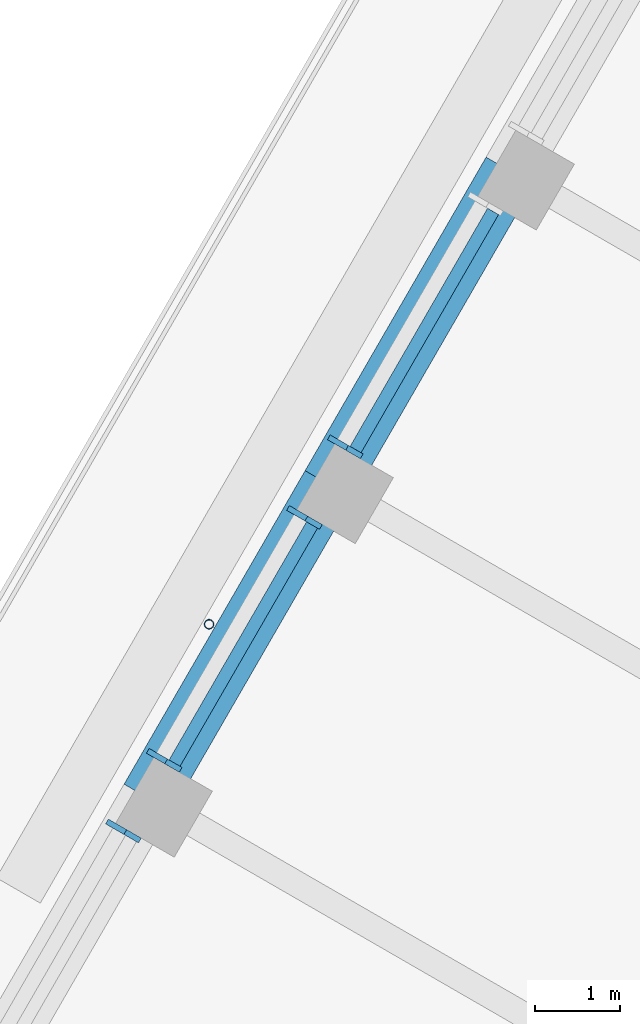
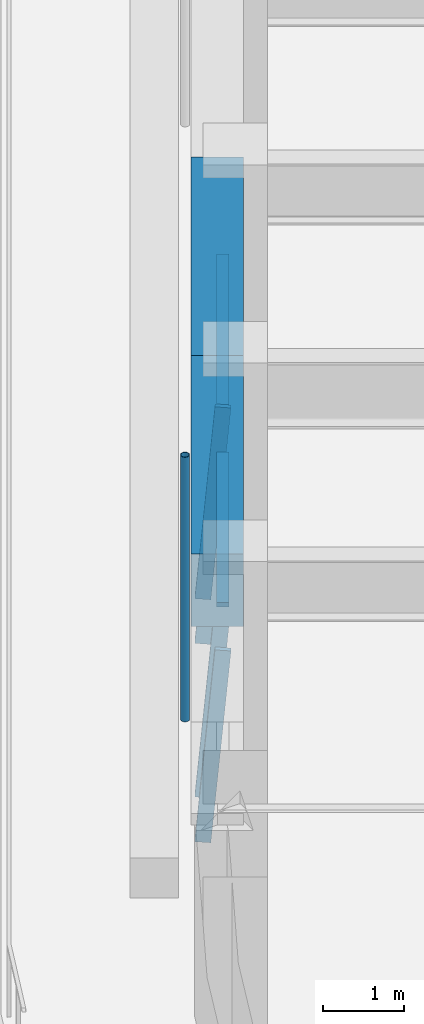
# One storey, part 6 of 19: 7 members, 2 beams, 3 elements without a shape of their own.
"""IFC4 building model written with IfcOpenShell, lengths in metres."""

import ifcopenshell
import ifcopenshell.guid

model = None  # the IFC model being written
_history = None  # IfcOwnerHistory: only IFC2X3 demands one
_inside = {}  # id of a spatial element -> (the spatial element, [elements in it])
_under = {}  # id of a project, library or spatial element -> (it, [spatial elements below it])
_declared = {}  # id of a project -> (the project, [libraries it declares])
_typed = {}  # id of a type object -> (the type object, [elements of that type])
_made_of = {}  # id of a material, layer set ... -> (it, [elements and type objects made of it])


def new_model(schema):
    """Start an empty IFC model of exactly this schema.

    Asked for "IFC4X3", IfcOpenShell would pick the latest addendum, in which some entities
    have other attributes; the version numbers below select the first issue.
    IFC2X3 requires an IfcOwnerHistory on every rooted entity: one is made here for all.
    """
    global model, _history
    if schema == "IFC4X3":
        model = ifcopenshell.file(schema_version=(4, 3, 0, 0))
    else:
        model = ifcopenshell.file(schema=schema)
    _inside.clear()
    _under.clear()
    _declared.clear()
    _typed.clear()
    _made_of.clear()
    _history = None
    if model.schema == "IFC2X3":
        org = make("IfcOrganization", Name="unknown")
        user = make(
            "IfcPersonAndOrganization",
            ThePerson=make("IfcPerson", FamilyName="unknown"),
            TheOrganization=org,
        )
        app = make(
            "IfcApplication",
            ApplicationDeveloper=org,
            Version="unknown",
            ApplicationFullName="unknown",
            ApplicationIdentifier="unknown",
        )
        _history = make(
            "IfcOwnerHistory",
            OwningUser=user,
            OwningApplication=app,
            ChangeAction="ADDED",
            CreationDate=0,
        )
    return model


def make(cls, **values):
    """One entity of the class cls with the attributes given. An attribute that is None is left unset."""
    return model.create_entity(
        cls, **{name: value for name, value in values.items() if value is not None}
    )


def rooted(cls, **values):
    """An entity with a GlobalId (a new one), such as an element, a storey or a relation."""
    return make(cls, GlobalId=ifcopenshell.guid.new(), OwnerHistory=_history, **values)


def si_unit(unit_type, name, prefix=None):
    """IfcSIUnit, for example si_unit("LENGTHUNIT", "METRE", prefix="MILLI")."""
    return make("IfcSIUnit", UnitType=unit_type, Prefix=prefix, Name=name)


def assignment(units):
    """IfcUnitAssignment: the units of a project."""
    return None if units is None else make("IfcUnitAssignment", Units=units)


def point(xyz):
    """IfcCartesianPoint."""
    return None if xyz is None else make("IfcCartesianPoint", Coordinates=xyz)


def direction(xyz):
    """IfcDirection."""
    return None if xyz is None else make("IfcDirection", DirectionRatios=xyz)


def frame(location, z_axis=None, x_axis=None):
    """IfcAxis2Placement3D, a coordinate frame: its origin and axes. An axis left out is left unset."""
    return make(
        "IfcAxis2Placement3D",
        Location=point(location),
        Axis=direction(z_axis),
        RefDirection=direction(x_axis),
    )


def frame_2d(location, x_axis=None):
    """IfcAxis2Placement2D, a coordinate frame in the plane: its origin and x axis."""
    return make(
        "IfcAxis2Placement2D", Location=point(location), RefDirection=direction(x_axis)
    )


def origin():
    """The frame at (0, 0, 0) with its axes left unset."""
    return frame((0.0, 0.0, 0.0))


def origin_2d():
    """The frame at (0, 0) in the plane with its x axis left unset."""
    return frame_2d((0.0, 0.0))


def place(relative_to, where):
    """IfcLocalPlacement: puts the frame where relative to a parent placement (None: the world)."""
    return make(
        "IfcLocalPlacement", PlacementRelTo=relative_to, RelativePlacement=where
    )


def context(
    kind, dimensions, precision=None, world=None, true_north=None, identifier=None
):
    """IfcGeometricRepresentationContext, for example the 3D "Model" context."""
    return make(
        "IfcGeometricRepresentationContext",
        ContextIdentifier=identifier,
        ContextType=kind,
        CoordinateSpaceDimension=dimensions,
        Precision=precision,
        WorldCoordinateSystem=world,
        TrueNorth=true_north,
    )


def subcontext(parent, identifier, kind, view, scale=None):
    """IfcGeometricRepresentationSubContext, for example "Body" below "Model"."""
    return make(
        "IfcGeometricRepresentationSubContext",
        ContextIdentifier=identifier,
        ContextType=kind,
        ParentContext=parent,
        TargetScale=scale,
        TargetView=view,
    )


def project(units=None, contexts=None):
    """IfcProject with its units and contexts."""
    return rooted(
        "IfcProject",
        Name="project",
        RepresentationContexts=contexts,
        UnitsInContext=assignment(units),
    )


def spatial(cls, under=None, at=None, **own):
    """A site, building, storey or space (cls), placed at a placement, below another one or the project."""
    s = rooted(cls, ObjectPlacement=at, **own)
    if under is not None:
        _under.setdefault(under.id(), (under, []))[1].append(s)
    return s


def profile(cls, at=None, kind="AREA", **sizes):
    """A parametric profile (cls). Its sizes go by their IFC names, for example OverallWidth=200.0."""
    return make(cls, ProfileType=kind, Position=at, **sizes)


def rectangle(**sizes):
    """IfcRectangleProfileDef."""
    return profile("IfcRectangleProfileDef", **sizes)


def hollow_circle(**sizes):
    """IfcCircleHollowProfileDef."""
    return profile("IfcCircleHollowProfileDef", **sizes)


def extrude(swept, where, along, depth):
    """IfcExtrudedAreaSolid: the profile swept, set in the frame where, extruded along a direction by depth."""
    return make(
        "IfcExtrudedAreaSolid",
        SweptArea=swept,
        Position=where,
        ExtrudedDirection=direction(along),
        Depth=depth,
    )


def shape(context_of_items, identifier, shape_type, items):
    """IfcShapeRepresentation: the items that make up one representation, for example the "Body"."""
    return make(
        "IfcShapeRepresentation",
        ContextOfItems=context_of_items,
        RepresentationIdentifier=identifier,
        RepresentationType=shape_type,
        Items=items,
    )


def material(Name=None, Category=None):
    """IfcMaterial."""
    return make("IfcMaterial", Name=Name, Category=Category)


def material_profile(
    of_material, cross_section, Name=None, Category=None, Priority=None
):
    """IfcMaterialProfile: a cross section and its material."""
    return make(
        "IfcMaterialProfile",
        Name=Name,
        Material=of_material,
        Profile=cross_section,
        Priority=Priority,
        Category=Category,
    )


def profile_set(profiles, Name=None, composite=None):
    """IfcMaterialProfileSet."""
    return make(
        "IfcMaterialProfileSet",
        Name=Name,
        MaterialProfiles=profiles,
        CompositeProfile=composite,
    )


def made_of(thing, what):
    """Note that an element or type object is made of a material, layer set ...; save() writes the relation."""
    if what is not None:
        _made_of.setdefault(what.id(), (what, []))[1].append(thing)
    return thing


def type_object(cls, material=None, **own):
    """A type object (cls), such as IfcWallType, which elements share."""
    return made_of(rooted(cls, **own), material)


def element(
    cls,
    number,
    at=None,
    inside=None,
    cuts=None,
    type_object=None,
    material=None,
    context=None,
    identifier="Body",
    shape_type=None,
    held_by="IfcProductDefinitionShape",
    body=None,
    shapes=None,
    **own,
):
    """One element of the class cls, such as IfcWall. Its Tag is "e" and its number.

    at: its placement. inside: the storey or other place that contains it. cuts: it is an
    opening in that element (IfcRelVoidsElement). A single representation is given by context,
    identifier, shape_type and body (its items); several are given by shapes. held_by: the class
    of the entity that holds the representations. save() writes the other relations.
    """
    e = rooted(cls, Tag="e%d" % number, ObjectPlacement=at, **own)
    if body is not None:
        shapes = [shape(context, identifier, shape_type, body)]
    if shapes is not None:
        e.Representation = make(held_by, Representations=shapes)
    if inside is not None:
        _inside.setdefault(inside.id(), (inside, []))[1].append(e)
    if cuts is not None:
        rooted(
            "IfcRelVoidsElement", RelatingBuildingElement=cuts, RelatedOpeningElement=e
        )
    if type_object is not None:
        _typed.setdefault(type_object.id(), (type_object, []))[1].append(e)
    return made_of(e, material)


def aggregate(whole, parts):
    """IfcRelAggregates: a whole, such as a stair, and the parts it consists of."""
    return rooted("IfcRelAggregates", RelatingObject=whole, RelatedObjects=parts)


def save(model, path):
    """Write the relations noted so far, then the file.

    IfcRelAggregates (storeys below a building ...), IfcRelContainedInSpatialStructure (elements
    in a storey), IfcRelDefinesByType, IfcRelAssociatesMaterial and IfcRelDeclares: one each for
    every whole, place, type object, material and project.
    """
    for whole, parts in _under.values():
        aggregate(whole, parts)
    for where, things in _inside.values():
        rooted(
            "IfcRelContainedInSpatialStructure",
            RelatedElements=things,
            RelatingStructure=where,
        )
    for kind, things in _typed.values():
        rooted("IfcRelDefinesByType", RelatedObjects=things, RelatingType=kind)
    for what, things in _made_of.values():
        rooted("IfcRelAssociatesMaterial", RelatedObjects=things, RelatingMaterial=what)
    for by, libraries in _declared.values():
        rooted("IfcRelDeclares", RelatingContext=by, RelatedDefinitions=libraries)
    model.write(path)


model = new_model("IFC4")

# Units and contexts
model_context = context("Model", 3, precision=1e-05, world=origin(), true_north=direction((0.0, 1.0)))
body_context = subcontext(model_context, "Body", "Model", "MODEL_VIEW")
ifc_project = project(units=[si_unit("LENGTHUNIT", "METRE"), si_unit("AREAUNIT", "SQUARE_METRE"), si_unit("VOLUMEUNIT", "CUBIC_METRE"), si_unit("PLANEANGLEUNIT", "RADIAN"), si_unit("MASSUNIT", "GRAM", prefix="KILO")], contexts=[model_context])

# Site, building, storey
site_placement = place(None, origin())
site = spatial("IfcSite", under=ifc_project, at=site_placement, CompositionType="ELEMENT")
building_placement = place(site_placement, origin())
building = spatial("IfcBuilding", under=site, at=building_placement, Name="Tarfa Lantern Tower", CompositionType="ELEMENT")
storey_placement = place(building_placement, frame((0.0, 0.0, 361.89990234375)))
storey = spatial("IfcBuildingStorey", under=building, at=storey_placement, Name="L82", CompositionType="ELEMENT", Elevation=361.89990234375)

# Curtain wall, member
ifc_material_1 = material(Name="Aluminium framed curtain wall", Category="aluminium")
curtain_wall_type = type_object("IfcCurtainWallType", Name="CW4 CANTED GLAZING EXECUTIVE ZONE 2900", PredefinedType="USERDEFINED", material=ifc_material_1)
curtain_wall_1_placement = place(storey_placement, origin())
curtain_wall_1 = element("IfcCurtainWall", 1, at=curtain_wall_1_placement, inside=storey, type_object=curtain_wall_type, Name="CW4 NW L82", ObjectType="CURTAIN WALL", PredefinedType="USERDEFINED")
ifc_material_2 = material(Name="Aluminium mullion", Category="aluminium")
ifc_material_profile_1 = material_profile(ifc_material_2, rectangle(XDim=0.06494140625, YDim=0.199951171875, at=origin_2d()), Name="AL MULLION 65x200")
ifc_profile_set_1 = profile_set([ifc_material_profile_1], Name="Aluminium mullion")
member_type_1 = type_object("IfcMemberType", Name="CWM1 MULLION 65x200", PredefinedType="MULLION", material=ifc_profile_set_1)
member_1_placement = place(storey_placement, frame((-24.979248046875, 10.034423828125, 0.0), z_axis=(0.074310195522, -0.042942234884, 0.996310172238), x_axis=(0.500342721131, 0.865827443207, 0.0)))
member_1 = element("IfcMember", 2, at=member_1_placement, type_object=member_type_1, Name="CW4 mullion 2", PredefinedType="MULLION", context=body_context, shape_type="SweptSolid", body=[
    extrude(rectangle(XDim=0.06494140625, YDim=0.199951171875, at=origin_2d()), origin(), (0.0, 0.0, 1.0), 2.910888671875),
])

# Curtain wall, members
curtain_wall_2_placement = place(storey_placement, origin())
curtain_wall_2 = element("IfcCurtainWall", 3, at=curtain_wall_2_placement, inside=storey, type_object=curtain_wall_type, Name="CW4 NW L82", ObjectType="CURTAIN WALL", PredefinedType="USERDEFINED")
member_2_placement = place(storey_placement, frame((-25.4619140625, 9.19873046875, 0.0), z_axis=(0.074393603155, -0.042941967097, 0.996303959277), x_axis=(0.499919672301, 0.866071776036, 0.0)))
member_2 = element("IfcMember", 4, at=member_2_placement, type_object=member_type_1, Name="CW4 mullion 1", PredefinedType="MULLION", context=body_context, shape_type="SweptSolid", body=[
    extrude(rectangle(XDim=0.06494140625, YDim=0.199951171875, at=origin_2d()), origin(), (0.0, 0.0, 1.0), 2.910888671875),
])
member_3_placement = place(storey_placement, frame((-27.120361328125, 6.326171875, 0.0), z_axis=(0.074393603155, -0.042941967097, 0.996303959277), x_axis=(0.499919672301, 0.866071776036, 0.0)))
member_3 = element("IfcMember", 5, at=member_3_placement, type_object=member_type_1, Name="CW4 mullion 2", PredefinedType="MULLION", context=body_context, shape_type="SweptSolid", body=[
    extrude(rectangle(XDim=0.06494140625, YDim=0.199951171875, at=origin_2d()), origin(), (0.0, 0.0, 1.0), 2.910888671875),
])

# Curtain wall, member
curtain_wall_3_placement = place(storey_placement, origin())
curtain_wall_3 = element("IfcCurtainWall", 6, at=curtain_wall_3_placement, inside=storey, type_object=curtain_wall_type, Name="CW4 NW L82", ObjectType="CURTAIN WALL", PredefinedType="USERDEFINED")
member_4_placement = place(storey_placement, frame((-27.602783203125, 5.490478515625, 0.0), z_axis=(0.074393603155, -0.042941967097, 0.996303959277), x_axis=(0.499919672301, 0.866071776036, 0.0)))
member_4 = element("IfcMember", 7, at=member_4_placement, type_object=member_type_1, Name="CW4 mullion 1", PredefinedType="MULLION", context=body_context, shape_type="SweptSolid", body=[
    extrude(rectangle(XDim=0.06494140625, YDim=0.199951171875, at=origin_2d()), origin(), (0.0, 0.0, 1.0), 2.910888671875),
])
aggregate(curtain_wall_3, [member_4])

# Member
ifc_material_3 = material(Name="Aluminium transom", Category="aluminium")
ifc_material_profile_2 = material_profile(ifc_material_3, rectangle(XDim=0.14990234375, YDim=0.06494140625, at=origin_2d()), Name="AL TRANSOM 150x65")
ifc_profile_set_2 = profile_set([ifc_material_profile_2], Name="Aluminium transom")
member_type_2 = type_object("IfcMemberType", Name="CWT1 TRANSOM 150x65", PredefinedType="USERDEFINED", material=ifc_profile_set_2)
member_5_placement = place(storey_placement, frame((-23.123046875, 12.75537109375, 2.86767578125), z_axis=(-0.499982393232, -0.866035568818, 0.0), x_axis=(0.866035568818, -0.499982393232, 0.0)))
member_5 = element("IfcMember", 8, at=member_5_placement, type_object=member_type_2, Name="CW4 transom 1.2", ObjectType="TRANSOM", PredefinedType="USERDEFINED", context=body_context, shape_type="SweptSolid", body=[
    extrude(rectangle(XDim=0.14990234375, YDim=0.06494140625, at=origin_2d()), origin(), (0.0, 0.0, 1.0), 3.251953125),
])

aggregate(curtain_wall_1, [member_1, member_5])

member_6_placement = place(storey_placement, frame((-25.263916015625, 9.047119140625, 2.86767578125), z_axis=(-0.499982393232, -0.866035568818, 0.0), x_axis=(0.866035568818, -0.499982393232, 0.0)))
member_6 = element("IfcMember", 9, at=member_6_placement, type_object=member_type_2, Name="CW4 transom 1.2", ObjectType="TRANSOM", PredefinedType="USERDEFINED", context=body_context, shape_type="SweptSolid", body=[
    extrude(rectangle(XDim=0.14990234375, YDim=0.06494140625, at=origin_2d()), origin(), (0.0, 0.0, 1.0), 3.251953125),
])

aggregate(curtain_wall_2, [member_2, member_3, member_6])

# Beams
ifc_material_4 = material(Name="Concrete C80/95", Category="concrete")
ifc_material_profile_3 = material_profile(ifc_material_4, rectangle(XDim=0.64990234375, YDim=1.10009765625, at=origin_2d()), Name="RC 650x1100")
ifc_profile_set_3 = profile_set([ifc_material_profile_3], Name="Concrete C80/95")
beam_type = type_object("IfcBeamType", Name="EB4 RC 650x1100", PredefinedType="SPANDREL", material=ifc_profile_set_3)
beam_1_placement = place(storey_placement, frame((-22.923583984375, 13.235107421875, 3.4501953125), z_axis=(-0.500002112793, -0.866024183959, 0.0), x_axis=(0.866024183959, -0.500002112793, 0.0)))
element("IfcBeam", 10, at=beam_1_placement, inside=storey, type_object=beam_type, Name="Edge beam NW3", PredefinedType="SPANDREL", context=body_context, shape_type="SweptSolid", body=[
    extrude(rectangle(XDim=0.64990234375, YDim=1.10009765625, at=origin_2d()), origin(), (0.0, 0.0, 1.0), 4.2822265625),
])
beam_2_placement = place(storey_placement, frame((-25.064697265625, 9.526611328125, 3.4501953125), z_axis=(-0.500026801138, -0.866009929587, 0.0), x_axis=(0.866009929587, -0.500026801138, 0.0)))
element("IfcBeam", 11, at=beam_2_placement, inside=storey, type_object=beam_type, Name="Edge beam NW4", PredefinedType="SPANDREL", context=body_context, shape_type="SweptSolid", body=[
    extrude(rectangle(XDim=0.64990234375, YDim=1.10009765625, at=origin_2d()), origin(), (0.0, 0.0, 1.0), 4.281982421875),
])

# Member
ifc_material_5 = material(Name="Steel S355", Category="steel")
ifc_material_profile_4 = material_profile(ifc_material_5, hollow_circle(Radius=0.05712890625, WallThickness=0.00634765625, at=origin_2d()), Name="CHS114.3x6.3")
ifc_profile_set_4 = profile_set([ifc_material_profile_4], Name="Steel S355")
member_type_3 = type_object("IfcMemberType", Name="TR1 GREEN WALL TRELLIS CHS114.3x6.3", PredefinedType="USERDEFINED", material=ifc_profile_set_4)
member_7_placement = place(storey_placement, frame((-26.481689453125, 7.87255859375, 0.0), z_axis=(0.0, 0.0, 1.0), x_axis=(1.0, 0.0, 0.0)))
element("IfcMember", 12, at=member_7_placement, inside=storey, type_object=member_type_3, Name="Trellis post NW 2", ObjectType="TRELLIS", PredefinedType="USERDEFINED", context=body_context, shape_type="SweptSolid", body=[
    extrude(hollow_circle(Radius=0.05712890625, WallThickness=0.00634765625, at=origin_2d()), origin(), (0.0, 0.0, 1.0), 4.0),
])

save(model, "model.ifc")
